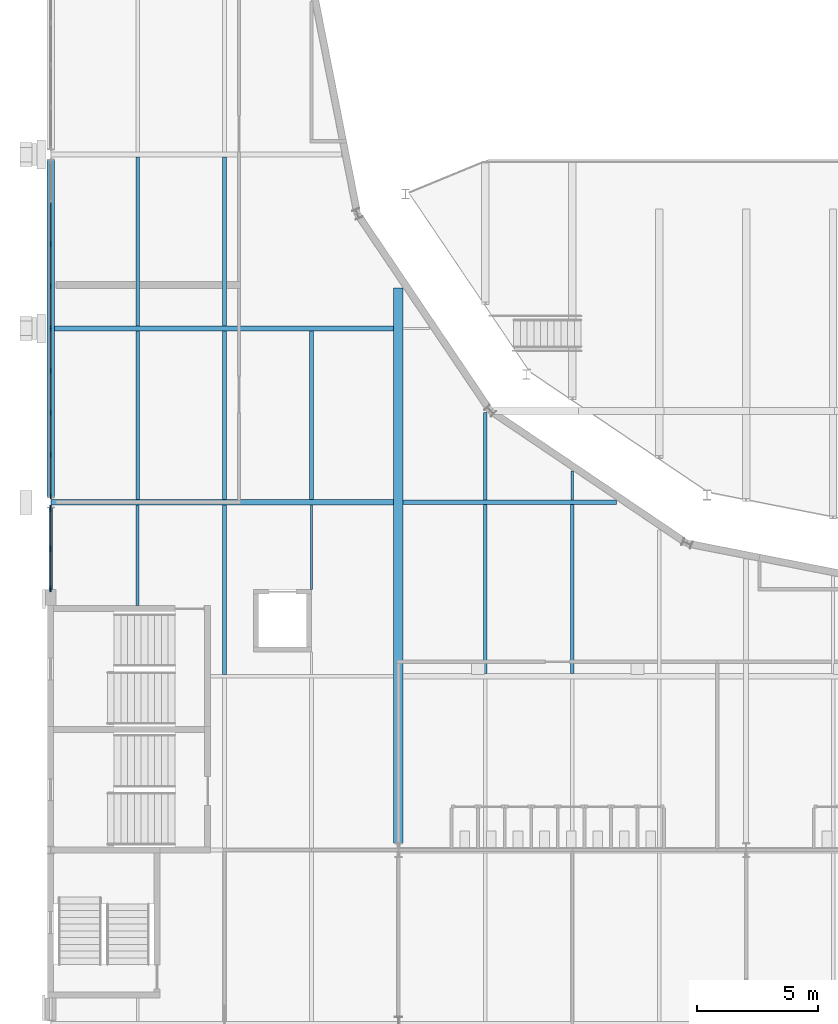
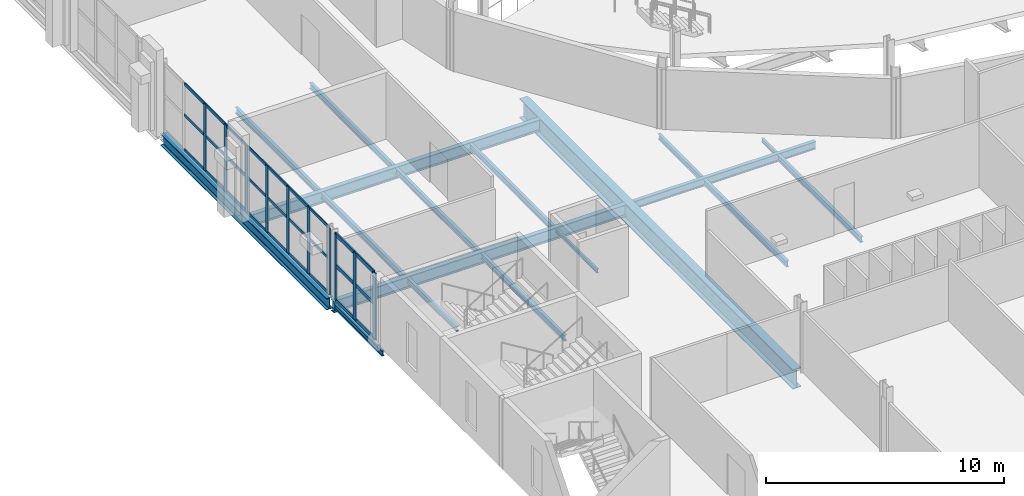
# One storey, part 33 of 124: 38 members, 18 beams, 3 elements without a shape of their own.
"""IFC4 building model written with IfcOpenShell, lengths in metres."""

import ifcopenshell
import ifcopenshell.guid

model = None  # the IFC model being written
_history = None  # IfcOwnerHistory: only IFC2X3 demands one
_inside = {}  # id of a spatial element -> (the spatial element, [elements in it])
_under = {}  # id of a project, library or spatial element -> (it, [spatial elements below it])
_declared = {}  # id of a project -> (the project, [libraries it declares])
_typed = {}  # id of a type object -> (the type object, [elements of that type])
_made_of = {}  # id of a material, layer set ... -> (it, [elements and type objects made of it])


def new_model(schema):
    """Start an empty IFC model of exactly this schema.

    Asked for "IFC4X3", IfcOpenShell would pick the latest addendum, in which some entities
    have other attributes; the version numbers below select the first issue.
    IFC2X3 requires an IfcOwnerHistory on every rooted entity: one is made here for all.
    """
    global model, _history
    if schema == "IFC4X3":
        model = ifcopenshell.file(schema_version=(4, 3, 0, 0))
    else:
        model = ifcopenshell.file(schema=schema)
    _inside.clear()
    _under.clear()
    _declared.clear()
    _typed.clear()
    _made_of.clear()
    _history = None
    if model.schema == "IFC2X3":
        org = make("IfcOrganization", Name="unknown")
        user = make(
            "IfcPersonAndOrganization",
            ThePerson=make("IfcPerson", FamilyName="unknown"),
            TheOrganization=org,
        )
        app = make(
            "IfcApplication",
            ApplicationDeveloper=org,
            Version="unknown",
            ApplicationFullName="unknown",
            ApplicationIdentifier="unknown",
        )
        _history = make(
            "IfcOwnerHistory",
            OwningUser=user,
            OwningApplication=app,
            ChangeAction="ADDED",
            CreationDate=0,
        )
    return model


def make(cls, **values):
    """One entity of the class cls with the attributes given. An attribute that is None is left unset."""
    return model.create_entity(
        cls, **{name: value for name, value in values.items() if value is not None}
    )


def rooted(cls, **values):
    """An entity with a GlobalId (a new one), such as an element, a storey or a relation."""
    return make(cls, GlobalId=ifcopenshell.guid.new(), OwnerHistory=_history, **values)


def si_unit(unit_type, name, prefix=None):
    """IfcSIUnit, for example si_unit("LENGTHUNIT", "METRE", prefix="MILLI")."""
    return make("IfcSIUnit", UnitType=unit_type, Prefix=prefix, Name=name)


def assignment(units):
    """IfcUnitAssignment: the units of a project."""
    return None if units is None else make("IfcUnitAssignment", Units=units)


def point(xyz):
    """IfcCartesianPoint."""
    return None if xyz is None else make("IfcCartesianPoint", Coordinates=xyz)


def direction(xyz):
    """IfcDirection."""
    return None if xyz is None else make("IfcDirection", DirectionRatios=xyz)


def frame(location, z_axis=None, x_axis=None):
    """IfcAxis2Placement3D, a coordinate frame: its origin and axes. An axis left out is left unset."""
    return make(
        "IfcAxis2Placement3D",
        Location=point(location),
        Axis=direction(z_axis),
        RefDirection=direction(x_axis),
    )


def frame_2d(location, x_axis=None):
    """IfcAxis2Placement2D, a coordinate frame in the plane: its origin and x axis."""
    return make(
        "IfcAxis2Placement2D", Location=point(location), RefDirection=direction(x_axis)
    )


def origin():
    """The frame at (0, 0, 0) with its axes left unset."""
    return frame((0.0, 0.0, 0.0))


def origin_2d():
    """The frame at (0, 0) in the plane with its x axis left unset."""
    return frame_2d((0.0, 0.0))


def place(relative_to, where):
    """IfcLocalPlacement: puts the frame where relative to a parent placement (None: the world)."""
    return make(
        "IfcLocalPlacement", PlacementRelTo=relative_to, RelativePlacement=where
    )


def context(
    kind, dimensions, precision=None, world=None, true_north=None, identifier=None
):
    """IfcGeometricRepresentationContext, for example the 3D "Model" context."""
    return make(
        "IfcGeometricRepresentationContext",
        ContextIdentifier=identifier,
        ContextType=kind,
        CoordinateSpaceDimension=dimensions,
        Precision=precision,
        WorldCoordinateSystem=world,
        TrueNorth=true_north,
    )


def subcontext(parent, identifier, kind, view, scale=None):
    """IfcGeometricRepresentationSubContext, for example "Body" below "Model"."""
    return make(
        "IfcGeometricRepresentationSubContext",
        ContextIdentifier=identifier,
        ContextType=kind,
        ParentContext=parent,
        TargetScale=scale,
        TargetView=view,
    )


def project(units=None, contexts=None):
    """IfcProject with its units and contexts."""
    return rooted(
        "IfcProject",
        Name="project",
        RepresentationContexts=contexts,
        UnitsInContext=assignment(units),
    )


def spatial(cls, under=None, at=None, **own):
    """A site, building, storey or space (cls), placed at a placement, below another one or the project."""
    s = rooted(cls, ObjectPlacement=at, **own)
    if under is not None:
        _under.setdefault(under.id(), (under, []))[1].append(s)
    return s


def profile(cls, at=None, kind="AREA", **sizes):
    """A parametric profile (cls). Its sizes go by their IFC names, for example OverallWidth=200.0."""
    return make(cls, ProfileType=kind, Position=at, **sizes)


def rectangle(**sizes):
    """IfcRectangleProfileDef."""
    return profile("IfcRectangleProfileDef", **sizes)


def i_section(**sizes):
    """IfcIShapeProfileDef."""
    return profile("IfcIShapeProfileDef", **sizes)


def extrude(swept, where, along, depth):
    """IfcExtrudedAreaSolid: the profile swept, set in the frame where, extruded along a direction by depth."""
    return make(
        "IfcExtrudedAreaSolid",
        SweptArea=swept,
        Position=where,
        ExtrudedDirection=direction(along),
        Depth=depth,
    )


def shape(context_of_items, identifier, shape_type, items):
    """IfcShapeRepresentation: the items that make up one representation, for example the "Body"."""
    return make(
        "IfcShapeRepresentation",
        ContextOfItems=context_of_items,
        RepresentationIdentifier=identifier,
        RepresentationType=shape_type,
        Items=items,
    )


def material(Name=None, Category=None):
    """IfcMaterial."""
    return make("IfcMaterial", Name=Name, Category=Category)


def material_profile(
    of_material, cross_section, Name=None, Category=None, Priority=None
):
    """IfcMaterialProfile: a cross section and its material."""
    return make(
        "IfcMaterialProfile",
        Name=Name,
        Material=of_material,
        Profile=cross_section,
        Priority=Priority,
        Category=Category,
    )


def profile_set(profiles, Name=None, composite=None):
    """IfcMaterialProfileSet."""
    return make(
        "IfcMaterialProfileSet",
        Name=Name,
        MaterialProfiles=profiles,
        CompositeProfile=composite,
    )


def made_of(thing, what):
    """Note that an element or type object is made of a material, layer set ...; save() writes the relation."""
    if what is not None:
        _made_of.setdefault(what.id(), (what, []))[1].append(thing)
    return thing


def type_object(cls, material=None, **own):
    """A type object (cls), such as IfcWallType, which elements share."""
    return made_of(rooted(cls, **own), material)


def element(
    cls,
    number,
    at=None,
    inside=None,
    cuts=None,
    type_object=None,
    material=None,
    context=None,
    identifier="Body",
    shape_type=None,
    held_by="IfcProductDefinitionShape",
    body=None,
    shapes=None,
    **own,
):
    """One element of the class cls, such as IfcWall. Its Tag is "e" and its number.

    at: its placement. inside: the storey or other place that contains it. cuts: it is an
    opening in that element (IfcRelVoidsElement). A single representation is given by context,
    identifier, shape_type and body (its items); several are given by shapes. held_by: the class
    of the entity that holds the representations. save() writes the other relations.
    """
    e = rooted(cls, Tag="e%d" % number, ObjectPlacement=at, **own)
    if body is not None:
        shapes = [shape(context, identifier, shape_type, body)]
    if shapes is not None:
        e.Representation = make(held_by, Representations=shapes)
    if inside is not None:
        _inside.setdefault(inside.id(), (inside, []))[1].append(e)
    if cuts is not None:
        rooted(
            "IfcRelVoidsElement", RelatingBuildingElement=cuts, RelatedOpeningElement=e
        )
    if type_object is not None:
        _typed.setdefault(type_object.id(), (type_object, []))[1].append(e)
    return made_of(e, material)


def aggregate(whole, parts):
    """IfcRelAggregates: a whole, such as a stair, and the parts it consists of."""
    return rooted("IfcRelAggregates", RelatingObject=whole, RelatedObjects=parts)


def save(model, path):
    """Write the relations noted so far, then the file.

    IfcRelAggregates (storeys below a building ...), IfcRelContainedInSpatialStructure (elements
    in a storey), IfcRelDefinesByType, IfcRelAssociatesMaterial and IfcRelDeclares: one each for
    every whole, place, type object, material and project.
    """
    for whole, parts in _under.values():
        aggregate(whole, parts)
    for where, things in _inside.values():
        rooted(
            "IfcRelContainedInSpatialStructure",
            RelatedElements=things,
            RelatingStructure=where,
        )
    for kind, things in _typed.values():
        rooted("IfcRelDefinesByType", RelatedObjects=things, RelatingType=kind)
    for what, things in _made_of.values():
        rooted("IfcRelAssociatesMaterial", RelatedObjects=things, RelatingMaterial=what)
    for by, libraries in _declared.values():
        rooted("IfcRelDeclares", RelatingContext=by, RelatedDefinitions=libraries)
    model.write(path)


model = new_model("IFC4")

# Units and contexts
model_context = context("Model", 3, precision=1e-05, world=origin(), true_north=direction((0.0, 1.0)))
body_context = subcontext(model_context, "Body", "Model", "MODEL_VIEW")
ifc_project = project(units=[si_unit("LENGTHUNIT", "METRE"), si_unit("AREAUNIT", "SQUARE_METRE"), si_unit("VOLUMEUNIT", "CUBIC_METRE"), si_unit("PLANEANGLEUNIT", "RADIAN"), si_unit("MASSUNIT", "GRAM", prefix="KILO")], contexts=[model_context])

# Site, building, storey
site_placement = place(None, origin())
site = spatial("IfcSite", under=ifc_project, at=site_placement, CompositionType="ELEMENT")
building_placement = place(site_placement, origin())
building = spatial("IfcBuilding", under=site, at=building_placement, Name="Kupolbacken Congress Centre", CompositionType="ELEMENT")
storey_placement = place(building_placement, frame((0.0, 0.0, 10.800048828125)))
storey = spatial("IfcBuildingStorey", under=building, at=storey_placement, Name="L03", CompositionType="ELEMENT", Elevation=10.800048828125)

# Beams
ifc_material_1 = material(Name="Steel S355", Category="steel")
ifc_material_profile_1 = material_profile(ifc_material_1, i_section(OverallWidth=0.10009765625, OverallDepth=0.199951171875, WebThickness=0.005615234375, FlangeThickness=0.008544921875, FilletRadius=0.011962890625, at=origin_2d()), Name="IPE 200")
ifc_profile_set_1 = profile_set([ifc_material_profile_1], Name="Steel S355")
beam_type_1 = type_object("IfcBeamType", Name="B01 beam IPE 200", PredefinedType="BEAM", material=ifc_profile_set_1)
beam_1_placement = place(storey_placement, frame((28.800048828125, 64.889892578125, -0.280029296875), z_axis=(0.0, 1.0, 0.0), x_axis=(-1.0, 0.0, 0.0)))
element("IfcBeam", 1, at=beam_1_placement, inside=storey, type_object=beam_type_1, Name="S/floor/P/L03/S104", PredefinedType="BEAM", context=body_context, shape_type="SweptSolid", body=[
    extrude(i_section(OverallWidth=0.10009765625, OverallDepth=0.199951171875, WebThickness=0.005615234375, FlangeThickness=0.008544921875, FilletRadius=0.011962890625, at=origin_2d()), origin(), (0.0, 0.0, 1.0), 1.200927734375),
])
beam_2_placement = place(storey_placement, frame((18.0, 61.199951171875, -0.280029296875), z_axis=(0.0, 1.0, 0.0), x_axis=(-1.0, 0.0, 0.0)))
element("IfcBeam", 2, at=beam_2_placement, inside=storey, type_object=beam_type_1, Name="S/floor/P/L03/S163", PredefinedType="BEAM", context=body_context, shape_type="SweptSolid", body=[
    extrude(i_section(OverallWidth=0.10009765625, OverallDepth=0.199951171875, WebThickness=0.005615234375, FlangeThickness=0.008544921875, FilletRadius=0.011962890625, at=origin_2d()), origin(), (0.0, 0.0, 1.0), 3.489990234375),
])
ifc_material_2 = material(Name="Steel S355", Category="steel")
ifc_material_profile_2 = material_profile(ifc_material_2, i_section(OverallWidth=0.135009765625, OverallDepth=0.27001953125, WebThickness=0.006591796875, FlangeThickness=0.01025390625, FilletRadius=0.014892578125, at=origin_2d()), Name="IPE 270")
ifc_profile_set_2 = profile_set([ifc_material_profile_2], Name="Steel S355")
beam_type_2 = type_object("IfcBeamType", Name="B03 beam IPE 270", PredefinedType="BEAM", material=ifc_profile_set_2)
beam_3_placement = place(storey_placement, frame((7.199951171875, 60.52490234375, -0.31494140625), z_axis=(0.0, 1.0, 0.0), x_axis=(-1.0, 0.0, 0.0)))
element("IfcBeam", 3, at=beam_3_placement, inside=storey, type_object=beam_type_2, Name="S/floor/P/L03/G017", PredefinedType="BEAM", context=body_context, shape_type="SweptSolid", body=[
    extrude(i_section(OverallWidth=0.135009765625, OverallDepth=0.27001953125, WebThickness=0.006591796875, FlangeThickness=0.01025390625, FilletRadius=0.014892578125, at=origin_2d()), origin(), (0.0, 0.0, 1.0), 4.050048828125),
])
beam_4_placement = place(storey_placement, frame((10.800048828125, 60.52490234375, -0.31494140625), z_axis=(0.0, 1.0, 0.0), x_axis=(-1.0, 0.0, 0.0)))
element("IfcBeam", 4, at=beam_4_placement, inside=storey, type_object=beam_type_2, Name="S/floor/P/L03/S076", PredefinedType="BEAM", context=body_context, shape_type="SweptSolid", body=[
    extrude(i_section(OverallWidth=0.135009765625, OverallDepth=0.27001953125, WebThickness=0.006591796875, FlangeThickness=0.01025390625, FilletRadius=0.014892578125, at=origin_2d()), origin(), (0.0, 0.0, 1.0), 4.1650390625),
])
beam_5_placement = place(storey_placement, frame((25.199951171875, 64.889892578125, -0.31494140625), z_axis=(0.0, 1.0, 0.0), x_axis=(-1.0, 0.0, 0.0)))
element("IfcBeam", 5, at=beam_5_placement, inside=storey, type_object=beam_type_2, Name="S/floor/P/L03/S098", PredefinedType="BEAM", context=body_context, shape_type="SweptSolid", body=[
    extrude(i_section(OverallWidth=0.135009765625, OverallDepth=0.27001953125, WebThickness=0.006591796875, FlangeThickness=0.01025390625, FilletRadius=0.014892578125, at=origin_2d()), origin(), (0.0, 0.0, 1.0), 3.63818359375),
])
ifc_material_3 = material(Name="Steel S355", Category="steel")
ifc_material_profile_3 = material_profile(ifc_material_3, i_section(OverallWidth=0.14990234375, OverallDepth=0.300048828125, WebThickness=0.007080078125, FlangeThickness=0.0107421875, FilletRadius=0.014892578125, at=origin_2d()), Name="IPE 300")
ifc_profile_set_3 = profile_set([ifc_material_profile_3], Name="Steel S355")
beam_type_3 = type_object("IfcBeamType", Name="B04 beam IPE 300", PredefinedType="BEAM", material=ifc_profile_set_3)
beam_6_placement = place(storey_placement, frame((10.800048828125, 64.909912109375, -0.330078125), z_axis=(0.0, 1.0, 0.0), x_axis=(-1.0, 0.0, 0.0)))
element("IfcBeam", 6, at=beam_6_placement, inside=storey, type_object=beam_type_3, Name="S/floor/P/L03/S077", PredefinedType="BEAM", context=body_context, shape_type="SweptSolid", body=[
    extrude(i_section(OverallWidth=0.14990234375, OverallDepth=0.300048828125, WebThickness=0.007080078125, FlangeThickness=0.0107421875, FilletRadius=0.014892578125, at=origin_2d()), origin(), (0.0, 0.0, 1.0), 6.97998046875),
])
beam_7_placement = place(storey_placement, frame((10.800048828125, 72.110107421875, -0.330078125), z_axis=(0.0, 1.0, 0.0), x_axis=(-1.0, 0.0, 0.0)))
element("IfcBeam", 7, at=beam_7_placement, inside=storey, type_object=beam_type_3, Name="S/floor/P/L03/S078", PredefinedType="BEAM", context=body_context, shape_type="SweptSolid", body=[
    extrude(i_section(OverallWidth=0.14990234375, OverallDepth=0.300048828125, WebThickness=0.007080078125, FlangeThickness=0.0107421875, FilletRadius=0.014892578125, at=origin_2d()), origin(), (0.0, 0.0, 1.0), 6.98486328125),
])
beam_8_placement = place(storey_placement, frame((14.39990234375, 57.679931640625, -0.330078125), z_axis=(0.0, 1.0, 0.0), x_axis=(-1.0, 0.0, 0.0)))
element("IfcBeam", 8, at=beam_8_placement, inside=storey, type_object=beam_type_3, Name="S/floor/P/L03/S086", PredefinedType="BEAM", context=body_context, shape_type="SweptSolid", body=[
    extrude(i_section(OverallWidth=0.14990234375, OverallDepth=0.300048828125, WebThickness=0.007080078125, FlangeThickness=0.0107421875, FilletRadius=0.014892578125, at=origin_2d()), origin(), (0.0, 0.0, 1.0), 7.010009765625),
])
beam_9_placement = place(storey_placement, frame((14.39990234375, 64.909912109375, -0.330078125), z_axis=(0.0, 1.0, 0.0), x_axis=(-1.0, 0.0, 0.0)))
element("IfcBeam", 9, at=beam_9_placement, inside=storey, type_object=beam_type_3, Name="S/floor/P/L03/S087", PredefinedType="BEAM", context=body_context, shape_type="SweptSolid", body=[
    extrude(i_section(OverallWidth=0.14990234375, OverallDepth=0.300048828125, WebThickness=0.007080078125, FlangeThickness=0.0107421875, FilletRadius=0.014892578125, at=origin_2d()), origin(), (0.0, 0.0, 1.0), 6.97998046875),
])
beam_10_placement = place(storey_placement, frame((14.39990234375, 72.110107421875, -0.330078125), z_axis=(0.0, 1.0, 0.0), x_axis=(-1.0, 0.0, 0.0)))
element("IfcBeam", 10, at=beam_10_placement, inside=storey, type_object=beam_type_3, Name="S/floor/P/L03/S088", PredefinedType="BEAM", context=body_context, shape_type="SweptSolid", body=[
    extrude(i_section(OverallWidth=0.14990234375, OverallDepth=0.300048828125, WebThickness=0.007080078125, FlangeThickness=0.0107421875, FilletRadius=0.014892578125, at=origin_2d()), origin(), (0.0, 0.0, 1.0), 6.98486328125),
])
for number, where, z_axis, x_axis, name in (
    (11, (25.199951171875, 57.7099609375, -0.330078125), (0.0, 1.0, 0.0), (-1.0, 0.0, 0.0), "S/floor/P/L03/S097"),
    (12, (28.800048828125, 57.7099609375, -0.330078125), (0.0, 1.0, 0.0), (-1.0, 0.0, 0.0), "S/floor/P/L03/S103"),
):
    element("IfcBeam", number, at=place(storey_placement, frame(where, z_axis=z_axis, x_axis=x_axis)), inside=storey, type_object=beam_type_3, Name=name, PredefinedType="BEAM", context=body_context, shape_type="SweptSolid", body=[
        extrude(i_section(OverallWidth=0.14990234375, OverallDepth=0.300048828125, WebThickness=0.007080078125, FlangeThickness=0.0107421875, FilletRadius=0.014892578125, at=origin_2d()), origin(), (0.0, 0.0, 1.0), 7.0),
    ])
beam_11_placement = place(storey_placement, frame((18.0, 64.909912109375, -0.330078125), z_axis=(0.0, 1.0, 0.0), x_axis=(-1.0, 0.0, 0.0)))
element("IfcBeam", 13, at=beam_11_placement, inside=storey, type_object=beam_type_3, Name="S/floor/P/L03/S164", PredefinedType="BEAM", context=body_context, shape_type="SweptSolid", body=[
    extrude(i_section(OverallWidth=0.14990234375, OverallDepth=0.300048828125, WebThickness=0.007080078125, FlangeThickness=0.0107421875, FilletRadius=0.014892578125, at=origin_2d()), origin(), (0.0, 0.0, 1.0), 6.97998046875),
])
ifc_material_4 = material(Name="Steel S355", Category="steel")
ifc_material_profile_4 = material_profile(ifc_material_4, i_section(OverallWidth=0.179931640625, OverallDepth=0.39990234375, WebThickness=0.008544921875, FlangeThickness=0.013427734375, FilletRadius=0.02099609375, at=origin_2d()), Name="IPE 400")
ifc_profile_set_4 = profile_set([ifc_material_profile_4], Name="Steel S355")
beam_type_4 = type_object("IfcBeamType", Name="B07 beam IPE 400", PredefinedType="BEAM", material=ifc_profile_set_4)
beam_12_placement = place(storey_placement, frame((21.800048828125, 64.800048828125, -0.380126953125), z_axis=(1.0, 0.0, 0.0), x_axis=(0.0, 1.0, 0.0)))
element("IfcBeam", 14, at=beam_12_placement, inside=storey, type_object=beam_type_4, Name="S/floor/P/L03/R044", PredefinedType="BEAM", context=body_context, shape_type="SweptSolid", body=[
    extrude(i_section(OverallWidth=0.179931640625, OverallDepth=0.39990234375, WebThickness=0.008544921875, FlangeThickness=0.013427734375, FilletRadius=0.02099609375, at=origin_2d()), origin(), (0.0, 0.0, 1.0), 8.829345703125),
])
ifc_material_5 = material(Name="Steel S355", Category="steel")
ifc_material_profile_5 = material_profile(ifc_material_5, i_section(OverallWidth=0.219970703125, OverallDepth=0.60009765625, WebThickness=0.011962890625, FlangeThickness=0.01904296875, FilletRadius=0.02392578125, at=origin_2d()), Name="IPE 600")
ifc_profile_set_5 = profile_set([ifc_material_profile_5], Name="Steel S355")
beam_type_5 = type_object("IfcBeamType", Name="B11 beam IPE 600", PredefinedType="BEAM", material=ifc_profile_set_5)
beam_13_placement = place(storey_placement, frame((7.20703125, 64.800048828125, -0.47998046875), z_axis=(1.0, 0.0, 0.0), x_axis=(0.0, 1.0, 0.0)))
element("IfcBeam", 15, at=beam_13_placement, inside=storey, type_object=beam_type_5, Name="S/floor/P/L03/R043", PredefinedType="BEAM", context=body_context, shape_type="SweptSolid", body=[
    extrude(i_section(OverallWidth=0.219970703125, OverallDepth=0.60009765625, WebThickness=0.011962890625, FlangeThickness=0.01904296875, FilletRadius=0.02392578125, at=origin_2d()), origin(), (0.0, 0.0, 1.0), 14.19287109375),
])
beam_14_placement = place(storey_placement, frame((7.35009765625, 72.0, -0.47998046875), z_axis=(1.0, 0.0, 0.0), x_axis=(0.0, 1.0, 0.0)))
element("IfcBeam", 16, at=beam_14_placement, inside=storey, type_object=beam_type_5, Name="S/floor/P/L03/R047", PredefinedType="BEAM", context=body_context, shape_type="SweptSolid", body=[
    extrude(i_section(OverallWidth=0.219970703125, OverallDepth=0.60009765625, WebThickness=0.011962890625, FlangeThickness=0.01904296875, FilletRadius=0.02392578125, at=origin_2d()), origin(), (0.0, 0.0, 1.0), 14.0498046875),
])
ifc_material_6 = material(Name="Steel S355", Category="steel")
ifc_material_profile_6 = material_profile(ifc_material_6, i_section(OverallWidth=0.300048828125, OverallDepth=0.60009765625, WebThickness=0.015380859375, FlangeThickness=0.030029296875, FilletRadius=0.027099609375, at=origin_2d()), Name="HEB 600")
ifc_profile_set_6 = profile_set([ifc_material_profile_6], Name="Steel S355")
beam_type_6 = type_object("IfcBeamType", Name="B15 beam HEB 600", PredefinedType="BEAM", material=ifc_profile_set_6)
beam_15_placement = place(storey_placement, frame((7.199951171875, 65.02490234375, -0.47998046875), z_axis=(0.0, 1.0, 0.0), x_axis=(-1.0, 0.0, 0.0)))
element("IfcBeam", 17, at=beam_15_placement, inside=storey, type_object=beam_type_6, Name="S/floor/P/L03/G018", PredefinedType="BEAM", context=body_context, shape_type="SweptSolid", body=[
    extrude(i_section(OverallWidth=0.300048828125, OverallDepth=0.60009765625, WebThickness=0.015380859375, FlangeThickness=0.030029296875, FilletRadius=0.027099609375, at=origin_2d()), origin(), (0.0, 0.0, 1.0), 13.9501953125),
])
ifc_material_7 = material(Name="Steel S355", Category="steel")
ifc_material_profile_7 = material_profile(ifc_material_7, i_section(OverallWidth=0.39990234375, OverallDepth=1.0, WebThickness=0.02197265625, FlangeThickness=0.044921875, at=origin_2d()), Name="PG 1000 x 400")
ifc_profile_set_7 = profile_set([ifc_material_profile_7], Name="Steel S355")
beam_type_7 = type_object("IfcBeamType", Name="B23 beam PG 1000 x 400", PredefinedType="BEAM", material=ifc_profile_set_7)
beam_16_placement = place(storey_placement, frame((21.60009765625, 50.699951171875, -0.679931640625), z_axis=(0.0, 1.0, 0.0), x_axis=(-1.0, 0.0, 0.0)))
element("IfcBeam", 18, at=beam_16_placement, inside=storey, type_object=beam_type_7, Name="S/floor/P/L03/G022", PredefinedType="BEAM", context=body_context, shape_type="SweptSolid", body=[
    extrude(i_section(OverallWidth=0.39990234375, OverallDepth=1.0, WebThickness=0.02197265625, FlangeThickness=0.044921875, at=origin_2d()), origin(), (0.0, 0.0, 1.0), 22.966552734375),
])

# Curtain wall, members
ifc_material_8 = material(Name="Aluminium mullion-transom frame with glass", Category="aluminium")
curtain_wall_type_1 = type_object("IfcCurtainWallType", Name="CW1 curtain wall 7200x3600", PredefinedType="NOTDEFINED", material=ifc_material_8)
curtain_wall_1_placement = place(storey_placement, origin())
curtain_wall_1 = element("IfcCurtainWall", 19, at=curtain_wall_1_placement, inside=storey, type_object=curtain_wall_type_1, Name="E/P/W/L03/391", PredefinedType="NOTDEFINED")
ifc_material_9 = material(Name="Aluminium alloy", Category="aluminium")
ifc_material_profile_8 = material_profile(ifc_material_9, rectangle(XDim=0.050048828125, YDim=0.199951171875, at=origin_2d()), Name="50 x 200")
ifc_profile_set_8 = profile_set([ifc_material_profile_8], Name="Aluminium alloy")
member_type_1 = type_object("IfcMemberType", Name="MU2 mullion 50x200", PredefinedType="MULLION", material=ifc_profile_set_8)
member_1_placement = place(storey_placement, frame((7.199951171875, 75.487548828125, 0.0), z_axis=(0.0, 0.0, 1.0), x_axis=(1.0, 0.0, 0.0)))
member_1 = element("IfcMember", 20, at=member_1_placement, type_object=member_type_1, Name="CW1 mullion 3", PredefinedType="MULLION", context=body_context, shape_type="SweptSolid", body=[
    extrude(rectangle(XDim=0.050048828125, YDim=0.199951171875, at=origin_2d()), origin(), (0.0, 0.0, 1.0), 3.419921875),
])
member_2_placement = place(storey_placement, frame((7.199951171875, 73.74365234375, 0.0), z_axis=(0.0, 0.0, 1.0), x_axis=(1.0, 0.0, 0.0)))
member_2 = element("IfcMember", 21, at=member_2_placement, type_object=member_type_1, Name="CW1 mullion 4", PredefinedType="MULLION", context=body_context, shape_type="SweptSolid", body=[
    extrude(rectangle(XDim=0.050048828125, YDim=0.199951171875, at=origin_2d()), origin(), (0.0, 0.0, 1.0), 3.419921875),
])
member_3_placement = place(storey_placement, frame((7.199951171875, 72.02490234375, 0.0), z_axis=(0.0, 0.0, 1.0), x_axis=(1.0, 0.0, 0.0)))
member_3 = element("IfcMember", 22, at=member_3_placement, type_object=member_type_1, Name="CW1 mullion 5", PredefinedType="MULLION", context=body_context, shape_type="SweptSolid", body=[
    extrude(rectangle(XDim=0.050048828125, YDim=0.199951171875, at=origin_2d()), origin(), (0.0, 0.0, 1.0), 3.419921875),
])

curtain_wall_2_placement = place(storey_placement, origin())
curtain_wall_2 = element("IfcCurtainWall", 23, at=curtain_wall_2_placement, inside=storey, type_object=curtain_wall_type_1, Name="E/P/W/L03/392", PredefinedType="NOTDEFINED")
member_4_placement = place(storey_placement, frame((7.199951171875, 71.97509765625, 0.0), z_axis=(0.0, 0.0, 1.0), x_axis=(1.0, 0.0, 0.0)))
member_4 = element("IfcMember", 24, at=member_4_placement, type_object=member_type_1, Name="CW1 mullion 1", PredefinedType="MULLION", context=body_context, shape_type="SweptSolid", body=[
    extrude(rectangle(XDim=0.050048828125, YDim=0.199951171875, at=origin_2d()), origin(), (0.0, 0.0, 1.0), 3.419921875),
])
member_5_placement = place(storey_placement, frame((7.199951171875, 70.25634765625, 0.0), z_axis=(0.0, 0.0, 1.0), x_axis=(1.0, 0.0, 0.0)))
member_5 = element("IfcMember", 25, at=member_5_placement, type_object=member_type_1, Name="CW1 mullion 2", PredefinedType="MULLION", context=body_context, shape_type="SweptSolid", body=[
    extrude(rectangle(XDim=0.050048828125, YDim=0.199951171875, at=origin_2d()), origin(), (0.0, 0.0, 1.0), 3.419921875),
])
member_6_placement = place(storey_placement, frame((7.199951171875, 68.512451171875, 0.0), z_axis=(0.0, 0.0, 1.0), x_axis=(1.0, 0.0, 0.0)))
member_6 = element("IfcMember", 26, at=member_6_placement, type_object=member_type_1, Name="CW1 mullion 3", PredefinedType="MULLION", context=body_context, shape_type="SweptSolid", body=[
    extrude(rectangle(XDim=0.050048828125, YDim=0.199951171875, at=origin_2d()), origin(), (0.0, 0.0, 1.0), 3.419921875),
])
member_7_placement = place(storey_placement, frame((7.199951171875, 66.768798828125, 0.0), z_axis=(0.0, 0.0, 1.0), x_axis=(1.0, 0.0, 0.0)))
member_7 = element("IfcMember", 27, at=member_7_placement, type_object=member_type_1, Name="CW1 mullion 4", PredefinedType="MULLION", context=body_context, shape_type="SweptSolid", body=[
    extrude(rectangle(XDim=0.050048828125, YDim=0.199951171875, at=origin_2d()), origin(), (0.0, 0.0, 1.0), 3.419921875),
])
member_8_placement = place(storey_placement, frame((7.199951171875, 65.050048828125, 0.0), z_axis=(0.0, 0.0, 1.0), x_axis=(1.0, 0.0, 0.0)))
member_8 = element("IfcMember", 28, at=member_8_placement, type_object=member_type_1, Name="CW1 mullion 5", PredefinedType="MULLION", context=body_context, shape_type="SweptSolid", body=[
    extrude(rectangle(XDim=0.050048828125, YDim=0.199951171875, at=origin_2d()), origin(), (0.0, 0.0, 1.0), 3.419921875),
])

ifc_material_10 = material(Name="Aluminium mullion-transom frame with glass", Category="aluminium")
curtain_wall_type_2 = type_object("IfcCurtainWallType", Name="CW2 curtain wall 3600x3600", PredefinedType="NOTDEFINED", material=ifc_material_10)
curtain_wall_3_placement = place(storey_placement, origin())
curtain_wall_3 = element("IfcCurtainWall", 29, at=curtain_wall_3_placement, inside=storey, type_object=curtain_wall_type_2, Name="E/P/W/L03/393", PredefinedType="NOTDEFINED")
ifc_material_11 = material(Name="Aluminium alloy", Category="aluminium")
ifc_material_profile_9 = material_profile(ifc_material_11, rectangle(XDim=0.06005859375, YDim=0.25, at=origin_2d()), Name="60 x 250")
ifc_profile_set_9 = profile_set([ifc_material_profile_9], Name="Aluminium alloy")
member_type_2 = type_object("IfcMemberType", Name="MU3 mullion 60x250", PredefinedType="MULLION", material=ifc_profile_set_9)
member_9_placement = place(storey_placement, frame((7.199951171875, 64.544921875, 0.0), z_axis=(0.0, 0.0, 1.0), x_axis=(1.0, 0.0, 0.0)))
member_9 = element("IfcMember", 30, at=member_9_placement, type_object=member_type_2, Name="CW2 mullion 1", PredefinedType="MULLION", context=body_context, shape_type="SweptSolid", body=[
    extrude(rectangle(XDim=0.06005859375, YDim=0.25, at=origin_2d()), origin(), (0.0, 0.0, 1.0), 3.419921875),
])
member_10_placement = place(storey_placement, frame((7.199951171875, 62.887451171875, 0.0), z_axis=(0.0, 0.0, 1.0), x_axis=(1.0, 0.0, 0.0)))
member_10 = element("IfcMember", 31, at=member_10_placement, type_object=member_type_2, Name="CW2 mullion 2", PredefinedType="MULLION", context=body_context, shape_type="SweptSolid", body=[
    extrude(rectangle(XDim=0.06005859375, YDim=0.25, at=origin_2d()), origin(), (0.0, 0.0, 1.0), 3.419921875),
])
member_11_placement = place(storey_placement, frame((7.199951171875, 61.22998046875, 0.0), z_axis=(0.0, 0.0, 1.0), x_axis=(1.0, 0.0, 0.0)))
member_11 = element("IfcMember", 32, at=member_11_placement, type_object=member_type_2, Name="CW2 mullion 3", PredefinedType="MULLION", context=body_context, shape_type="SweptSolid", body=[
    extrude(rectangle(XDim=0.06005859375, YDim=0.25, at=origin_2d()), origin(), (0.0, 0.0, 1.0), 3.419921875),
])

# Member
ifc_material_12 = material(Name="Aluminium alloy", Category="aluminium")
ifc_material_profile_10 = material_profile(ifc_material_12, rectangle(XDim=0.050048828125, YDim=0.14990234375, at=origin_2d()), Name="50 x 150")
ifc_profile_set_10 = profile_set([ifc_material_profile_10], Name="Aluminium alloy")
member_type_3 = type_object("IfcMemberType", Name="TR2 transom 50x150", PredefinedType="MULLION", material=ifc_profile_set_10)
member_12_placement = place(storey_placement, frame((7.199951171875, 77.206298828125, 0.02490234375), z_axis=(0.0, -1.0, 0.0), x_axis=(1.0, 0.0, 0.0)))
member_12 = element("IfcMember", 33, at=member_12_placement, type_object=member_type_3, Name="CW1 transom 2.1", PredefinedType="MULLION", context=body_context, shape_type="SweptSolid", body=[
    extrude(rectangle(XDim=0.050048828125, YDim=0.14990234375, at=origin_2d()), origin(), (0.0, 0.0, 1.0), 1.69384765625),
])

member_13_placement = place(storey_placement, frame((7.199951171875, 77.206298828125, 1.800048828125), z_axis=(0.0, -1.0, 0.0), x_axis=(1.0, 0.0, 0.0)))
member_13 = element("IfcMember", 34, at=member_13_placement, type_object=member_type_3, Name="CW1 transom 2.2", PredefinedType="MULLION", context=body_context, shape_type="SweptSolid", body=[
    extrude(rectangle(XDim=0.050048828125, YDim=0.14990234375, at=origin_2d()), origin(), (0.0, 0.0, 1.0), 1.69384765625),
])

member_14_placement = place(storey_placement, frame((7.199951171875, 77.206298828125, 3.39501953125), z_axis=(0.0, -1.0, 0.0), x_axis=(1.0, 0.0, 0.0)))
member_14 = element("IfcMember", 35, at=member_14_placement, type_object=member_type_3, Name="CW1 transom 2.3", PredefinedType="MULLION", context=body_context, shape_type="SweptSolid", body=[
    extrude(rectangle(XDim=0.050048828125, YDim=0.14990234375, at=origin_2d()), origin(), (0.0, 0.0, 1.0), 1.69384765625),
])

member_15_placement = place(storey_placement, frame((7.199951171875, 75.46240234375, 0.02490234375), z_axis=(0.0, -1.0, 0.0), x_axis=(1.0, 0.0, 0.0)))
member_15 = element("IfcMember", 36, at=member_15_placement, type_object=member_type_3, Name="CW1 transom 3.1", PredefinedType="MULLION", context=body_context, shape_type="SweptSolid", body=[
    extrude(rectangle(XDim=0.050048828125, YDim=0.14990234375, at=origin_2d()), origin(), (0.0, 0.0, 1.0), 1.693603515625),
])

member_16_placement = place(storey_placement, frame((7.199951171875, 75.46240234375, 1.800048828125), z_axis=(0.0, -1.0, 0.0), x_axis=(1.0, 0.0, 0.0)))
member_16 = element("IfcMember", 37, at=member_16_placement, type_object=member_type_3, Name="CW1 transom 3.2", PredefinedType="MULLION", context=body_context, shape_type="SweptSolid", body=[
    extrude(rectangle(XDim=0.050048828125, YDim=0.14990234375, at=origin_2d()), origin(), (0.0, 0.0, 1.0), 1.693603515625),
])

member_17_placement = place(storey_placement, frame((7.199951171875, 75.46240234375, 3.39501953125), z_axis=(0.0, -1.0, 0.0), x_axis=(1.0, 0.0, 0.0)))
member_17 = element("IfcMember", 38, at=member_17_placement, type_object=member_type_3, Name="CW1 transom 3.3", PredefinedType="MULLION", context=body_context, shape_type="SweptSolid", body=[
    extrude(rectangle(XDim=0.050048828125, YDim=0.14990234375, at=origin_2d()), origin(), (0.0, 0.0, 1.0), 1.693603515625),
])

member_18_placement = place(storey_placement, frame((7.199951171875, 73.71875, 0.02490234375), z_axis=(0.0, -1.0, 0.0), x_axis=(1.0, 0.0, 0.0)))
member_18 = element("IfcMember", 39, at=member_18_placement, type_object=member_type_3, Name="CW1 transom 4.1", PredefinedType="MULLION", context=body_context, shape_type="SweptSolid", body=[
    extrude(rectangle(XDim=0.050048828125, YDim=0.14990234375, at=origin_2d()), origin(), (0.0, 0.0, 1.0), 1.668701171875),
])

member_19_placement = place(storey_placement, frame((7.199951171875, 73.71875, 1.800048828125), z_axis=(0.0, -1.0, 0.0), x_axis=(1.0, 0.0, 0.0)))
member_19 = element("IfcMember", 40, at=member_19_placement, type_object=member_type_3, Name="CW1 transom 4.2", PredefinedType="MULLION", context=body_context, shape_type="SweptSolid", body=[
    extrude(rectangle(XDim=0.050048828125, YDim=0.14990234375, at=origin_2d()), origin(), (0.0, 0.0, 1.0), 1.668701171875),
])

member_20_placement = place(storey_placement, frame((7.199951171875, 73.71875, 3.39501953125), z_axis=(0.0, -1.0, 0.0), x_axis=(1.0, 0.0, 0.0)))
member_20 = element("IfcMember", 41, at=member_20_placement, type_object=member_type_3, Name="CW1 transom 4.3", PredefinedType="MULLION", context=body_context, shape_type="SweptSolid", body=[
    extrude(rectangle(XDim=0.050048828125, YDim=0.14990234375, at=origin_2d()), origin(), (0.0, 0.0, 1.0), 1.668701171875),
])

aggregate(curtain_wall_1, [member_1, member_2, member_3, member_12, member_13, member_14, member_15, member_16, member_17, member_18, member_19, member_20])

member_21_placement = place(storey_placement, frame((7.199951171875, 71.949951171875, 0.02490234375), z_axis=(0.0, -1.0, 0.0), x_axis=(1.0, 0.0, 0.0)))
member_21 = element("IfcMember", 42, at=member_21_placement, type_object=member_type_3, Name="CW1 transom 1.1", PredefinedType="MULLION", context=body_context, shape_type="SweptSolid", body=[
    extrude(rectangle(XDim=0.050048828125, YDim=0.14990234375, at=origin_2d()), origin(), (0.0, 0.0, 1.0), 1.668701171875),
])

member_22_placement = place(storey_placement, frame((7.199951171875, 71.949951171875, 1.800048828125), z_axis=(0.0, -1.0, 0.0), x_axis=(1.0, 0.0, 0.0)))
member_22 = element("IfcMember", 43, at=member_22_placement, type_object=member_type_3, Name="CW1 transom 1.2", PredefinedType="MULLION", context=body_context, shape_type="SweptSolid", body=[
    extrude(rectangle(XDim=0.050048828125, YDim=0.14990234375, at=origin_2d()), origin(), (0.0, 0.0, 1.0), 1.668701171875),
])

member_23_placement = place(storey_placement, frame((7.199951171875, 71.949951171875, 3.39501953125), z_axis=(0.0, -1.0, 0.0), x_axis=(1.0, 0.0, 0.0)))
member_23 = element("IfcMember", 44, at=member_23_placement, type_object=member_type_3, Name="CW1 transom 1.3", PredefinedType="MULLION", context=body_context, shape_type="SweptSolid", body=[
    extrude(rectangle(XDim=0.050048828125, YDim=0.14990234375, at=origin_2d()), origin(), (0.0, 0.0, 1.0), 1.668701171875),
])

member_24_placement = place(storey_placement, frame((7.199951171875, 70.231201171875, 0.02490234375), z_axis=(0.0, -1.0, 0.0), x_axis=(1.0, 0.0, 0.0)))
member_24 = element("IfcMember", 45, at=member_24_placement, type_object=member_type_3, Name="CW1 transom 2.1", PredefinedType="MULLION", context=body_context, shape_type="SweptSolid", body=[
    extrude(rectangle(XDim=0.050048828125, YDim=0.14990234375, at=origin_2d()), origin(), (0.0, 0.0, 1.0), 1.693603515625),
])

member_25_placement = place(storey_placement, frame((7.199951171875, 70.231201171875, 1.800048828125), z_axis=(0.0, -1.0, 0.0), x_axis=(1.0, 0.0, 0.0)))
member_25 = element("IfcMember", 46, at=member_25_placement, type_object=member_type_3, Name="CW1 transom 2.2", PredefinedType="MULLION", context=body_context, shape_type="SweptSolid", body=[
    extrude(rectangle(XDim=0.050048828125, YDim=0.14990234375, at=origin_2d()), origin(), (0.0, 0.0, 1.0), 1.693603515625),
])

member_26_placement = place(storey_placement, frame((7.199951171875, 70.231201171875, 3.39501953125), z_axis=(0.0, -1.0, 0.0), x_axis=(1.0, 0.0, 0.0)))
member_26 = element("IfcMember", 47, at=member_26_placement, type_object=member_type_3, Name="CW1 transom 2.3", PredefinedType="MULLION", context=body_context, shape_type="SweptSolid", body=[
    extrude(rectangle(XDim=0.050048828125, YDim=0.14990234375, at=origin_2d()), origin(), (0.0, 0.0, 1.0), 1.693603515625),
])

member_27_placement = place(storey_placement, frame((7.199951171875, 68.487548828125, 0.02490234375), z_axis=(0.0, -1.0, 0.0), x_axis=(1.0, 0.0, 0.0)))
member_27 = element("IfcMember", 48, at=member_27_placement, type_object=member_type_3, Name="CW1 transom 3.1", PredefinedType="MULLION", context=body_context, shape_type="SweptSolid", body=[
    extrude(rectangle(XDim=0.050048828125, YDim=0.14990234375, at=origin_2d()), origin(), (0.0, 0.0, 1.0), 1.69384765625),
])

member_28_placement = place(storey_placement, frame((7.199951171875, 68.487548828125, 1.800048828125), z_axis=(0.0, -1.0, 0.0), x_axis=(1.0, 0.0, 0.0)))
member_28 = element("IfcMember", 49, at=member_28_placement, type_object=member_type_3, Name="CW1 transom 3.2", PredefinedType="MULLION", context=body_context, shape_type="SweptSolid", body=[
    extrude(rectangle(XDim=0.050048828125, YDim=0.14990234375, at=origin_2d()), origin(), (0.0, 0.0, 1.0), 1.69384765625),
])

member_29_placement = place(storey_placement, frame((7.199951171875, 68.487548828125, 3.39501953125), z_axis=(0.0, -1.0, 0.0), x_axis=(1.0, 0.0, 0.0)))
member_29 = element("IfcMember", 50, at=member_29_placement, type_object=member_type_3, Name="CW1 transom 3.3", PredefinedType="MULLION", context=body_context, shape_type="SweptSolid", body=[
    extrude(rectangle(XDim=0.050048828125, YDim=0.14990234375, at=origin_2d()), origin(), (0.0, 0.0, 1.0), 1.69384765625),
])

member_30_placement = place(storey_placement, frame((7.199951171875, 66.74365234375, 0.02490234375), z_axis=(0.0, -1.0, 0.0), x_axis=(1.0, 0.0, 0.0)))
member_30 = element("IfcMember", 51, at=member_30_placement, type_object=member_type_3, Name="CW1 transom 4.1", PredefinedType="MULLION", context=body_context, shape_type="SweptSolid", body=[
    extrude(rectangle(XDim=0.050048828125, YDim=0.14990234375, at=origin_2d()), origin(), (0.0, 0.0, 1.0), 1.668701171875),
])

member_31_placement = place(storey_placement, frame((7.199951171875, 66.74365234375, 1.800048828125), z_axis=(0.0, -1.0, 0.0), x_axis=(1.0, 0.0, 0.0)))
member_31 = element("IfcMember", 52, at=member_31_placement, type_object=member_type_3, Name="CW1 transom 4.2", PredefinedType="MULLION", context=body_context, shape_type="SweptSolid", body=[
    extrude(rectangle(XDim=0.050048828125, YDim=0.14990234375, at=origin_2d()), origin(), (0.0, 0.0, 1.0), 1.668701171875),
])

member_32_placement = place(storey_placement, frame((7.199951171875, 66.74365234375, 3.39501953125), z_axis=(0.0, -1.0, 0.0), x_axis=(1.0, 0.0, 0.0)))
member_32 = element("IfcMember", 53, at=member_32_placement, type_object=member_type_3, Name="CW1 transom 4.3", PredefinedType="MULLION", context=body_context, shape_type="SweptSolid", body=[
    extrude(rectangle(XDim=0.050048828125, YDim=0.14990234375, at=origin_2d()), origin(), (0.0, 0.0, 1.0), 1.668701171875),
])

aggregate(curtain_wall_2, [member_4, member_5, member_6, member_7, member_8, member_21, member_22, member_23, member_24, member_25, member_26, member_27, member_28, member_29, member_30, member_31, member_32])

ifc_material_13 = material(Name="Aluminium alloy", Category="aluminium")
ifc_material_profile_11 = material_profile(ifc_material_13, rectangle(XDim=0.06005859375, YDim=0.199951171875, at=origin_2d()), Name="60 x 200")
ifc_profile_set_11 = profile_set([ifc_material_profile_11], Name="Aluminium alloy")
member_type_4 = type_object("IfcMemberType", Name="TR3 transom 60x200", PredefinedType="MULLION", material=ifc_profile_set_11)
member_33_placement = place(storey_placement, frame((7.199951171875, 64.514892578125, 0.030029296875), z_axis=(0.0, -1.0, 0.0), x_axis=(1.0, 0.0, 0.0)))
member_33 = element("IfcMember", 54, at=member_33_placement, type_object=member_type_4, Name="CW2 transom 1.1", PredefinedType="MULLION", context=body_context, shape_type="SweptSolid", body=[
    extrude(rectangle(XDim=0.06005859375, YDim=0.199951171875, at=origin_2d()), origin(), (0.0, 0.0, 1.0), 1.597412109375),
])

member_34_placement = place(storey_placement, frame((7.199951171875, 64.514892578125, 1.800048828125), z_axis=(0.0, -1.0, 0.0), x_axis=(1.0, 0.0, 0.0)))
member_34 = element("IfcMember", 55, at=member_34_placement, type_object=member_type_4, Name="CW2 transom 1.2", PredefinedType="MULLION", context=body_context, shape_type="SweptSolid", body=[
    extrude(rectangle(XDim=0.06005859375, YDim=0.199951171875, at=origin_2d()), origin(), (0.0, 0.0, 1.0), 1.597412109375),
])

member_35_placement = place(storey_placement, frame((7.199951171875, 64.514892578125, 3.389892578125), z_axis=(0.0, -1.0, 0.0), x_axis=(1.0, 0.0, 0.0)))
member_35 = element("IfcMember", 56, at=member_35_placement, type_object=member_type_4, Name="CW2 transom 1.3", PredefinedType="MULLION", context=body_context, shape_type="SweptSolid", body=[
    extrude(rectangle(XDim=0.06005859375, YDim=0.199951171875, at=origin_2d()), origin(), (0.0, 0.0, 1.0), 1.597412109375),
])

member_36_placement = place(storey_placement, frame((7.199951171875, 62.857421875, 0.030029296875), z_axis=(0.0, -1.0, 0.0), x_axis=(1.0, 0.0, 0.0)))
member_36 = element("IfcMember", 57, at=member_36_placement, type_object=member_type_4, Name="CW2 transom 2.1", PredefinedType="MULLION", context=body_context, shape_type="SweptSolid", body=[
    extrude(rectangle(XDim=0.06005859375, YDim=0.199951171875, at=origin_2d()), origin(), (0.0, 0.0, 1.0), 1.597412109375),
])

member_37_placement = place(storey_placement, frame((7.199951171875, 62.857421875, 1.800048828125), z_axis=(0.0, -1.0, 0.0), x_axis=(1.0, 0.0, 0.0)))
member_37 = element("IfcMember", 58, at=member_37_placement, type_object=member_type_4, Name="CW2 transom 2.2", PredefinedType="MULLION", context=body_context, shape_type="SweptSolid", body=[
    extrude(rectangle(XDim=0.06005859375, YDim=0.199951171875, at=origin_2d()), origin(), (0.0, 0.0, 1.0), 1.597412109375),
])

member_38_placement = place(storey_placement, frame((7.199951171875, 62.857421875, 3.389892578125), z_axis=(0.0, -1.0, 0.0), x_axis=(1.0, 0.0, 0.0)))
member_38 = element("IfcMember", 59, at=member_38_placement, type_object=member_type_4, Name="CW2 transom 2.3", PredefinedType="MULLION", context=body_context, shape_type="SweptSolid", body=[
    extrude(rectangle(XDim=0.06005859375, YDim=0.199951171875, at=origin_2d()), origin(), (0.0, 0.0, 1.0), 1.597412109375),
])

aggregate(curtain_wall_3, [member_9, member_10, member_11, member_33, member_34, member_35, member_36, member_37, member_38])

save(model, "model.ifc")
